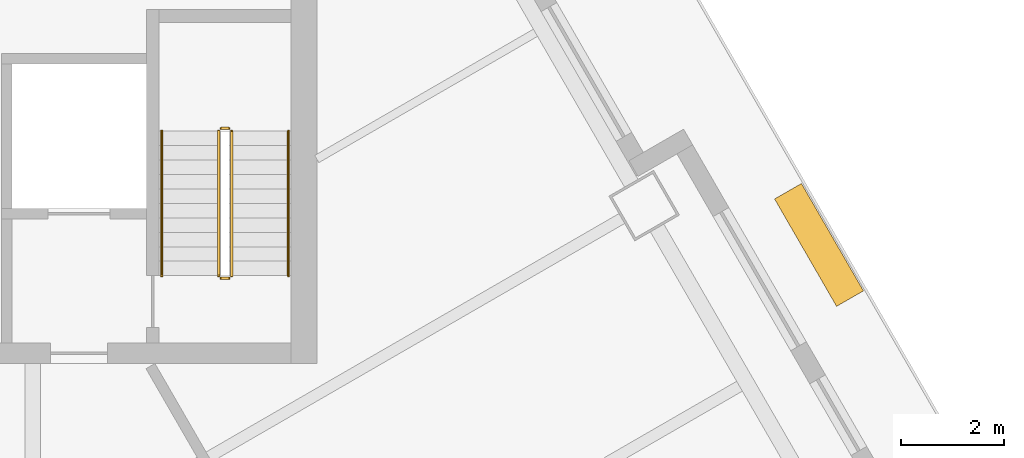
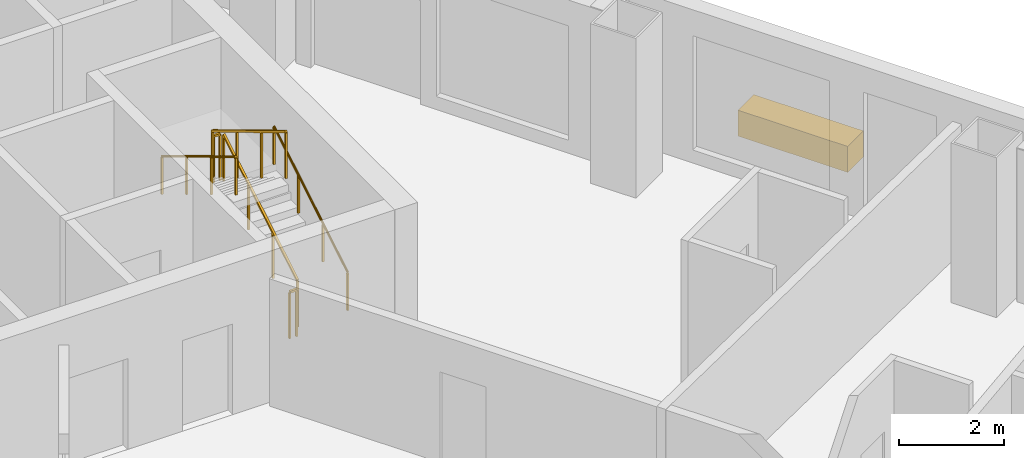
# One storey, part 13 of 13: 6 railings, 1 covering.
"""IFC4 building model written with IfcOpenShell, lengths in metres."""

from ifc_helpers import new_model, si_unit, direction, frame, origin, origin_2d, place, context, subcontext, project, spatial, rectangle, circle, extrude, material, type_object, element, save


model = new_model("IFC4")

# Units and contexts
model_context = context("Model", 3, precision=1e-05, world=origin(), true_north=direction((0.0, 1.0)))
body_context = subcontext(model_context, "Body", "Model", "MODEL_VIEW")
ifc_project = project(units=[si_unit("LENGTHUNIT", "METRE"), si_unit("AREAUNIT", "SQUARE_METRE"), si_unit("VOLUMEUNIT", "CUBIC_METRE"), si_unit("PLANEANGLEUNIT", "RADIAN"), si_unit("MASSUNIT", "GRAM", prefix="KILO")], contexts=[model_context])

# Site, building, storey
site_placement = place(None, origin())
site = spatial("IfcSite", under=ifc_project, at=site_placement, CompositionType="ELEMENT")
building_placement = place(site_placement, origin())
building = spatial("IfcBuilding", under=site, at=building_placement, Name="Apuvela Tower Hotel", CompositionType="ELEMENT")
storey_placement = place(building_placement, frame((0.0, 0.0, 57.60009765625)))
storey = spatial("IfcBuildingStorey", under=building, at=storey_placement, Name="L11", CompositionType="ELEMENT", Elevation=57.60009765625)

# Railings
ifc_material_1 = material(Name="Steel S275 balustrade", Category="steel")
railing_type_1 = type_object("IfcRailingType", Name="COR-GUARD-1100", PredefinedType="GUARDRAIL", material=ifc_material_1)
railing_1_placement = place(storey_placement, frame((3.85009765625, 14.60009765625, 0.16796875)))
element("IfcRailing", 1, at=railing_1_placement, inside=storey, type_object=railing_type_1, Name="L11 ST1 stair guard 1", PredefinedType="GUARDRAIL", context=body_context, shape_type="SweptSolid", body=[
    extrude(rectangle(XDim=0.048095703125, YDim=0.048095703125, at=origin_2d()), frame((0.0, 0.0, 1.076171875), z_axis=(0.0, 0.857222391501, 0.514946377315), x_axis=(-1.0, 0.0, 0.0)), (0.0, 0.0, 1.0), 3.26611328125),
    extrude(rectangle(XDim=0.0419921875, YDim=0.0419921875, at=origin_2d()), origin(), (0.0, 0.0, 1.0), 1.052001953125),
    extrude(rectangle(XDim=0.0419921875, YDim=0.0419921875, at=origin_2d()), frame((0.0, 0.933349609375, 0.560546875)), (0.0, 0.0, 1.0), 1.052001953125),
    extrude(rectangle(XDim=0.0419921875, YDim=0.0419921875, at=origin_2d()), frame((0.0, 1.866455078125, 1.121337890625)), (0.0, 0.0, 1.0), 1.052001953125),
    extrude(rectangle(XDim=0.0419921875, YDim=0.0419921875, at=origin_2d()), frame((0.0, 2.7998046875, 1.681884765625)), (0.0, 0.0, 1.0), 1.052001953125),
])
railing_2_placement = place(storey_placement, frame((3.800048828125, 17.449951171875, 1.849853515625)))
element("IfcRailing", 2, at=railing_2_placement, inside=storey, type_object=railing_type_1, Name="L11 ST1 stair guard 2", PredefinedType="GUARDRAIL", context=body_context, shape_type="SweptSolid", body=[
    extrude(rectangle(XDim=0.048095703125, YDim=0.048095703125, at=origin_2d()), frame((0.0, 0.0, 1.076171875), z_axis=(-1.0, 0.0, 0.0), x_axis=(0.0, -1.0, 0.0)), (0.0, 0.0, 1.0), 0.150146484375),
    extrude(rectangle(XDim=0.0419921875, YDim=0.0419921875, at=origin_2d()), origin(), (0.0, 0.0, 1.0), 1.052001953125),
    extrude(rectangle(XDim=0.0419921875, YDim=0.0419921875, at=origin_2d()), frame((-0.150146484375, 0.0, 0.0)), (0.0, 0.0, 1.0), 1.052001953125),
])
railing_3_placement = place(storey_placement, frame((3.60009765625, 17.39990234375, 2.01806640625)))
element("IfcRailing", 3, at=railing_3_placement, inside=storey, type_object=railing_type_1, Name="L11 ST1 stair guard 3", PredefinedType="GUARDRAIL", context=body_context, shape_type="SweptSolid", body=[
    extrude(rectangle(XDim=0.048095703125, YDim=0.048095703125, at=origin_2d()), frame((0.0, 0.0, 1.076171875), z_axis=(0.0, -0.857222391501, 0.514946377315), x_axis=(1.0, 0.0, 0.0)), (0.0, 0.0, 1.0), 3.26611328125),
    extrude(rectangle(XDim=0.0419921875, YDim=0.0419921875, at=origin_2d()), origin(), (0.0, 0.0, 1.0), 1.052001953125),
    extrude(rectangle(XDim=0.0419921875, YDim=0.0419921875, at=origin_2d()), frame((0.0, -0.933349609375, 0.560546875)), (0.0, 0.0, 1.0), 1.052001953125),
    extrude(rectangle(XDim=0.0419921875, YDim=0.0419921875, at=origin_2d()), frame((0.0, -1.866455078125, 1.121337890625)), (0.0, 0.0, 1.0), 1.052001953125),
    extrude(rectangle(XDim=0.0419921875, YDim=0.0419921875, at=origin_2d()), frame((0.0, -2.7998046875, 1.681884765625)), (0.0, 0.0, 1.0), 1.052001953125),
])
railing_4_placement = place(storey_placement, frame((3.800048828125, 14.550048828125, 0.0)))
element("IfcRailing", 4, at=railing_4_placement, inside=storey, type_object=railing_type_1, Name="L11 ST1 stair guard 4", PredefinedType="GUARDRAIL", context=body_context, shape_type="SweptSolid", body=[
    extrude(rectangle(XDim=0.048095703125, YDim=0.048095703125, at=origin_2d()), frame((0.0, 0.0, 1.076171875), z_axis=(-1.0, 0.0, 0.0), x_axis=(0.0, -1.0, 0.0)), (0.0, 0.0, 1.0), 0.150146484375),
    extrude(rectangle(XDim=0.0419921875, YDim=0.0419921875, at=origin_2d()), origin(), (0.0, 0.0, 1.0), 1.052001953125),
    extrude(rectangle(XDim=0.0419921875, YDim=0.0419921875, at=origin_2d()), frame((-0.150146484375, 0.0, 0.0)), (0.0, 0.0, 1.0), 1.052001953125),
])
ifc_material_2 = material(Name="Stainless steel 316 handrail", Category="steel")
railing_type_2 = type_object("IfcRailingType", Name="COR-HANDRAIL-900", PredefinedType="HANDRAIL", material=ifc_material_2)
railing_5_placement = place(storey_placement, frame((4.949951171875, 14.60009765625, 0.16796875)))
element("IfcRailing", 5, at=railing_5_placement, inside=storey, type_object=railing_type_2, Name="L11 ST1 stair handrail 1", PredefinedType="HANDRAIL", context=body_context, shape_type="SweptSolid", body=[
    extrude(circle(Radius=0.02392578125, at=origin_2d()), frame((0.0, 0.0, 0.8759765625), z_axis=(0.0, 0.857222391501, 0.514946377315), x_axis=(-1.0, 0.0, 0.0)), (0.0, 0.0, 1.0), 3.26611328125),
    extrude(rectangle(XDim=0.0419921875, YDim=0.0419921875, at=origin_2d()), origin(), (0.0, 0.0, 1.0), 0.851806640625),
    extrude(rectangle(XDim=0.0419921875, YDim=0.0419921875, at=origin_2d()), frame((0.0, 0.933349609375, 0.560546875)), (0.0, 0.0, 1.0), 0.851806640625),
    extrude(rectangle(XDim=0.0419921875, YDim=0.0419921875, at=origin_2d()), frame((0.0, 1.866455078125, 1.121337890625)), (0.0, 0.0, 1.0), 0.851806640625),
    extrude(rectangle(XDim=0.0419921875, YDim=0.0419921875, at=origin_2d()), frame((0.0, 2.7998046875, 1.681884765625)), (0.0, 0.0, 1.0), 0.851806640625),
])
railing_6_placement = place(storey_placement, frame((2.5, 17.39990234375, 2.01806640625)))
element("IfcRailing", 6, at=railing_6_placement, inside=storey, type_object=railing_type_2, Name="L11 ST1 stair handrail 2", PredefinedType="HANDRAIL", context=body_context, shape_type="SweptSolid", body=[
    extrude(circle(Radius=0.02392578125, at=origin_2d()), frame((0.0, 0.0, 0.8759765625), z_axis=(0.0, -0.857222391501, 0.514946377315), x_axis=(1.0, 0.0, 0.0)), (0.0, 0.0, 1.0), 3.26611328125),
    extrude(rectangle(XDim=0.0419921875, YDim=0.0419921875, at=origin_2d()), origin(), (0.0, 0.0, 1.0), 0.851806640625),
    extrude(rectangle(XDim=0.0419921875, YDim=0.0419921875, at=origin_2d()), frame((0.0, -0.933349609375, 0.560546875)), (0.0, 0.0, 1.0), 0.851806640625),
    extrude(rectangle(XDim=0.0419921875, YDim=0.0419921875, at=origin_2d()), frame((0.0, -1.866455078125, 1.121337890625)), (0.0, 0.0, 1.0), 0.851806640625),
    extrude(rectangle(XDim=0.0419921875, YDim=0.0419921875, at=origin_2d()), frame((0.0, -2.7998046875, 1.681884765625)), (0.0, 0.0, 1.0), 0.851806640625),
])

# Covering
ifc_material_3 = material(Name="Planting substrate and soil, planted")
covering_type = type_object("IfcCoveringType", Name="ENV-PLANTER-2400x600", PredefinedType="USERDEFINED", material=ifc_material_3)
covering_placement = place(storey_placement, frame((15.221435546875, 15.19580078125, -0.000244140625), z_axis=(0.0, 0.0, 1.0), x_axis=(-0.5, 0.866025403784, 0.0)))
element("IfcCovering", 7, at=covering_placement, inside=storey, type_object=covering_type, Name="Planter NE4", ObjectType="PLANTER", PredefinedType="USERDEFINED", context=body_context, shape_type="SweptSolid", body=[
    extrude(rectangle(XDim=2.39990234375, YDim=0.60009765625, at=origin_2d()), origin(), (0.0, 0.0, 1.0), 0.60009765625),
])

save(model, "model.ifc")
